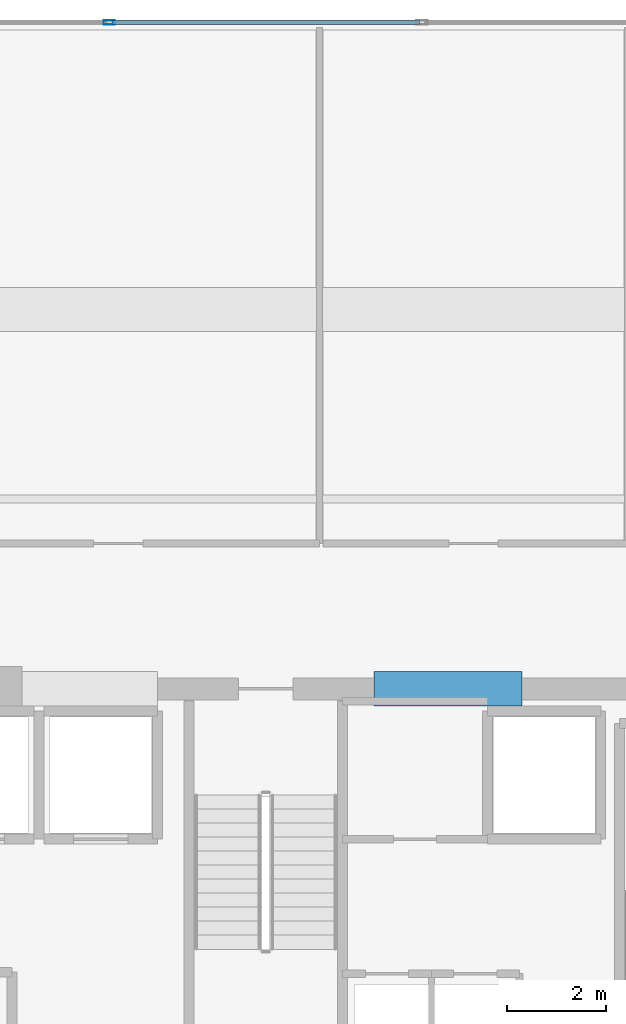
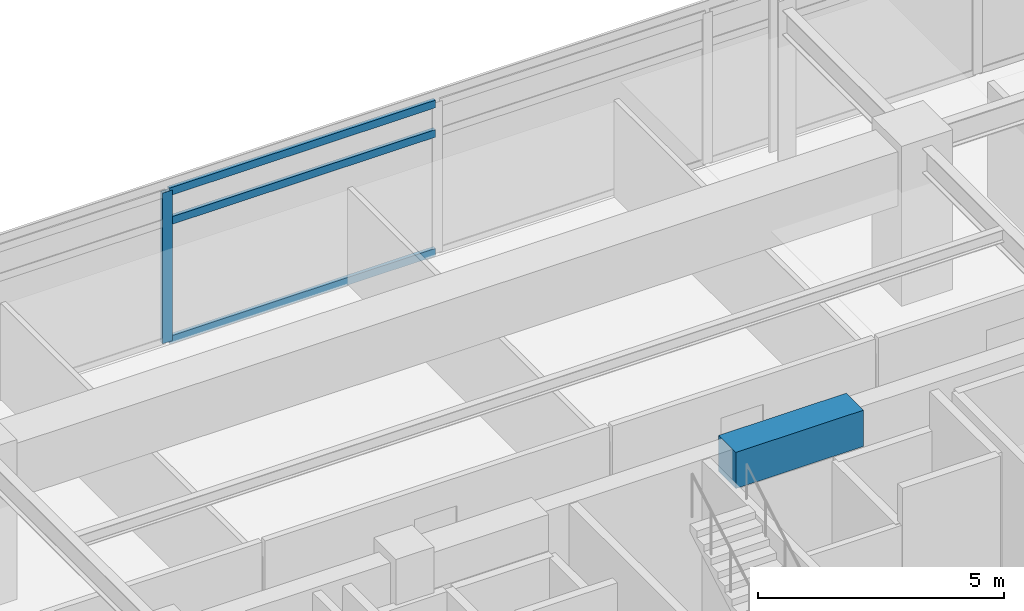
# One storey, part 11 of 23: 4 members, 1 beam, 1 element without a shape of its own.
"""IFC4 building model written with IfcOpenShell, lengths in metres."""

from ifc_helpers import new_model, si_unit, direction, frame, origin, origin_2d, place, context, subcontext, project, spatial, rectangle, hollow_rectangle, extrude, material, material_profile, profile_set, type_object, element, aggregate, save


model = new_model("IFC4")

# Units and contexts
model_context = context("Model", 3, precision=1e-05, world=origin(), true_north=direction((0.0, 1.0)))
body_context = subcontext(model_context, "Body", "Model", "MODEL_VIEW")
ifc_project = project(units=[si_unit("LENGTHUNIT", "METRE"), si_unit("AREAUNIT", "SQUARE_METRE"), si_unit("VOLUMEUNIT", "CUBIC_METRE"), si_unit("PLANEANGLEUNIT", "RADIAN"), si_unit("MASSUNIT", "GRAM", prefix="KILO")], contexts=[model_context])

# Site, building, storey
site_placement = place(None, origin())
site = spatial("IfcSite", under=ifc_project, at=site_placement, CompositionType="ELEMENT")
building_placement = place(site_placement, origin())
building = spatial("IfcBuilding", under=site, at=building_placement, Name="Kovane Verandah Tower", CompositionType="ELEMENT")
storey_placement = place(building_placement, frame((0.0, 0.0, 267.199951171875)))
storey = spatial("IfcBuildingStorey", under=building, at=storey_placement, Name="L62", CompositionType="ELEMENT", Elevation=267.199951171875)

# Beam
ifc_material_1 = material(Name="Concrete C60/75", Category="concrete")
ifc_material_profile_1 = material_profile(ifc_material_1, rectangle(XDim=0.699951171875, YDim=0.89990234375, at=origin_2d()), Name="RCB700x900")
ifc_profile_set_1 = profile_set([ifc_material_profile_1], Name="Concrete C60/75")
beam_type = type_object("IfcBeamType", Name="BM-LINTEL-700x900", PredefinedType="LINTEL", material=ifc_profile_set_1)
beam_placement = place(storey_placement, frame((42.199951171875, 36.5, 3.3349609375), z_axis=(1.0, 0.0, 0.0), x_axis=(0.0, 1.0, 0.0)))
element("IfcBeam", 1, at=beam_placement, inside=storey, type_object=beam_type, Name="L62 Core Coupling Lintel CL-N2", PredefinedType="LINTEL", context=body_context, shape_type="SweptSolid", body=[
    extrude(rectangle(XDim=0.699951171875, YDim=0.89990234375, at=origin_2d()), origin(), (0.0, 0.0, 1.0), 3.0),
])

# Curtain wall, members
ifc_material_2 = material(Name="Champagne Anodised Aluminium Frame with Low-E Clear Laminated Glass", Category="aluminium")
curtain_wall_type = type_object("IfcCurtainWallType", Name="CW-SYS-05-HIGH", PredefinedType="NOTDEFINED", material=ifc_material_2)
curtain_wall_placement = place(storey_placement, origin())
curtain_wall = element("IfcCurtainWall", 2, at=curtain_wall_placement, inside=storey, type_object=curtain_wall_type, Name="L62 N Unitised Curtain Wall", PredefinedType="NOTDEFINED")
ifc_material_3 = material(Name="Champagne Anodised Aluminium 6063-T6", Category="aluminium")
ifc_material_profile_2 = material_profile(ifc_material_3, hollow_rectangle(XDim=0.0849609375, YDim=0.22998046875, WallThickness=0.00390625, at=origin_2d()), Name="AL85x230x4")
ifc_profile_set_2 = profile_set([ifc_material_profile_2], Name="Champagne Anodised Aluminium 6063-T6")
member_type_1 = type_object("IfcMemberType", Name="CW-MUL-85x230", PredefinedType="MULLION", material=ifc_profile_set_2)
member_1_placement = place(storey_placement, frame((36.82568359375, 50.0234375, 0.02001953125), z_axis=(0.0, 0.0, 1.0), x_axis=(0.0, 1.0, 0.0)))
member_1 = element("IfcMember", 3, at=member_1_placement, type_object=member_type_1, Name="L62 N Unitised Curtain Wall Mullion 5", PredefinedType="MULLION", context=body_context, shape_type="SweptSolid", body=[
    extrude(hollow_rectangle(XDim=0.0849609375, YDim=0.22998046875, WallThickness=0.00390625, at=origin_2d()), origin(), (0.0, 0.0, 1.0), 3.7451171875),
])
ifc_material_profile_3 = material_profile(ifc_material_3, hollow_rectangle(XDim=0.0849609375, YDim=0.18994140625, WallThickness=0.00390625, at=origin_2d()), Name="AL85x190x4")
ifc_profile_set_3 = profile_set([ifc_material_profile_3], Name="Champagne Anodised Aluminium 6063-T6")
member_type_2 = type_object("IfcMemberType", Name="CW-TRN-85x190", PredefinedType="USERDEFINED", material=ifc_profile_set_3)
member_2_placement = place(storey_placement, frame((43.12451171875, 50.0234375, 0.050048828125), z_axis=(-1.0, 0.0, 0.0), x_axis=(0.0, -1.0, 0.0)))
member_2 = element("IfcMember", 4, at=member_2_placement, type_object=member_type_2, Name="L62 N Unitised Curtain Wall Transom TB Bay 4", ObjectType="TRANSOM", PredefinedType="USERDEFINED", context=body_context, shape_type="SweptSolid", body=[
    extrude(hollow_rectangle(XDim=0.0849609375, YDim=0.18994140625, WallThickness=0.00390625, at=origin_2d()), origin(), (0.0, 0.0, 1.0), 6.2490234375),
])
member_3_placement = place(storey_placement, frame((43.12451171875, 50.0234375, 3.005126953125), z_axis=(-1.0, 0.0, 0.0), x_axis=(0.0, -1.0, 0.0)))
member_3 = element("IfcMember", 5, at=member_3_placement, type_object=member_type_2, Name="L62 N Unitised Curtain Wall Transom TM Bay 4", ObjectType="TRANSOM", PredefinedType="USERDEFINED", context=body_context, shape_type="SweptSolid", body=[
    extrude(hollow_rectangle(XDim=0.0849609375, YDim=0.18994140625, WallThickness=0.00390625, at=origin_2d()), origin(), (0.0, 0.0, 1.0), 6.2490234375),
])
member_4_placement = place(storey_placement, frame((43.12451171875, 50.0234375, 3.735107421875), z_axis=(-1.0, 0.0, 0.0), x_axis=(0.0, -1.0, 0.0)))
member_4 = element("IfcMember", 6, at=member_4_placement, type_object=member_type_2, Name="L62 N Unitised Curtain Wall Transom TT Bay 4", ObjectType="TRANSOM", PredefinedType="USERDEFINED", context=body_context, shape_type="SweptSolid", body=[
    extrude(hollow_rectangle(XDim=0.0849609375, YDim=0.18994140625, WallThickness=0.00390625, at=origin_2d()), origin(), (0.0, 0.0, 1.0), 6.2490234375),
])
aggregate(curtain_wall, [member_1, member_2, member_3, member_4])

save(model, "model.ifc")
